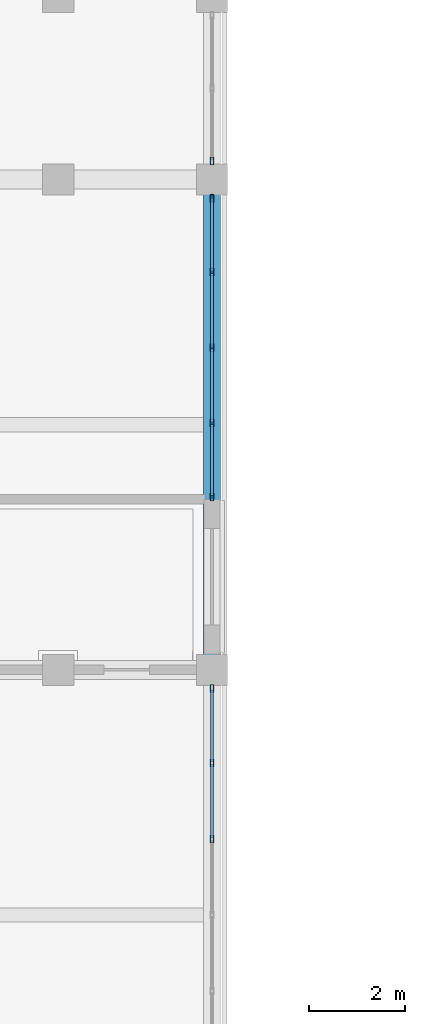
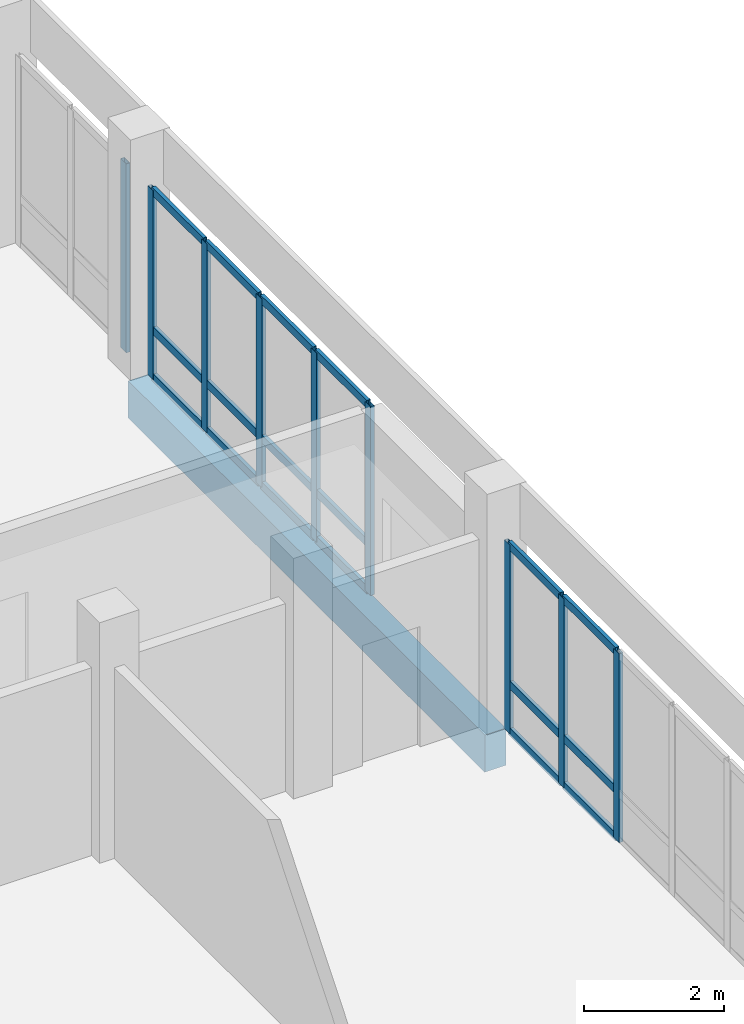
# One storey, part 18 of 200: 27 members, 1 beam, 3 elements without a shape of their own.
"""IFC4 building model written with IfcOpenShell, lengths in metres."""

from ifc_helpers import new_model, si_unit, direction, frame, origin, origin_2d, place, context, subcontext, project, spatial, rectangle, hollow_rectangle, extrude, material, material_profile, profile_set, type_object, element, aggregate, save


model = new_model("IFC4")

# Units and contexts
model_context = context("Model", 3, precision=1e-05, world=origin(), true_north=direction((0.0, 1.0)))
body_context = subcontext(model_context, "Body", "Model", "MODEL_VIEW")
ifc_project = project(units=[si_unit("LENGTHUNIT", "METRE"), si_unit("AREAUNIT", "SQUARE_METRE"), si_unit("VOLUMEUNIT", "CUBIC_METRE"), si_unit("PLANEANGLEUNIT", "RADIAN"), si_unit("MASSUNIT", "GRAM", prefix="KILO")], contexts=[model_context])

# Site, building, storey
site_placement = place(None, origin())
site = spatial("IfcSite", under=ifc_project, at=site_placement, CompositionType="ELEMENT")
building_placement = place(site_placement, origin())
building = spatial("IfcBuilding", under=site, at=building_placement, Name="Vondelvale Polytechnic", CompositionType="ELEMENT")
storey_placement = place(building_placement, frame((0.0, 0.0, 13.800048828125)))
storey = spatial("IfcBuildingStorey", under=building, at=storey_placement, Name="L03", CompositionType="ELEMENT", Elevation=13.800048828125)

# Curtain wall, members
ifc_material_1 = material(Name="Anodised extruded aluminium 6063-T6", Category="aluminium")
curtain_wall_type = type_object("IfcCurtainWallType", Name="CW-STUDIO-NORTH", PredefinedType="NOTDEFINED", material=ifc_material_1)
curtain_wall_1_placement = place(storey_placement, origin())
curtain_wall_1 = element("IfcCurtainWall", 1, at=curtain_wall_1_placement, inside=storey, type_object=curtain_wall_type, Name="L03 architectural curtain wall CW-01-026", PredefinedType="NOTDEFINED")
ifc_material_profile_1 = material_profile(ifc_material_1, hollow_rectangle(XDim=0.06494140625, YDim=0.159912109375, WallThickness=0.0048828125, at=origin_2d()), Name="CW-MUL-160x65")
ifc_profile_set_1 = profile_set([ifc_material_profile_1], Name="Anodised extruded aluminium 6063-T6")
member_type_1 = type_object("IfcMemberType", Name="CW-MUL-65x160", PredefinedType="MULLION", material=ifc_profile_set_1)
member_1_placement = place(storey_placement, frame((48.0, 16.881591796875, 0.0), z_axis=(0.0, 0.0, 1.0), x_axis=(-1.0, 0.0, 0.0)))
member_1 = element("IfcMember", 2, at=member_1_placement, type_object=member_type_1, Name="CW-01-026 mullion 5", PredefinedType="MULLION", context=body_context, shape_type="SweptSolid", body=[
    extrude(hollow_rectangle(XDim=0.06494140625, YDim=0.159912109375, WallThickness=0.0048828125, at=origin_2d()), origin(), (0.0, 0.0, 1.0), 3.300048828125),
])
member_2_placement = place(storey_placement, frame((48.0, 18.46337890625, 0.0), z_axis=(0.0, 0.0, 1.0), x_axis=(-1.0, 0.0, 0.0)))
member_2 = element("IfcMember", 3, at=member_2_placement, type_object=member_type_1, Name="CW-01-026 mullion 6", PredefinedType="MULLION", context=body_context, shape_type="SweptSolid", body=[
    extrude(hollow_rectangle(XDim=0.06494140625, YDim=0.159912109375, WallThickness=0.0048828125, at=origin_2d()), origin(), (0.0, 0.0, 1.0), 3.300048828125),
])
member_3_placement = place(storey_placement, frame((48.0, 20.012451171875, 0.0), z_axis=(0.0, 0.0, 1.0), x_axis=(-1.0, 0.0, 0.0)))
member_3 = element("IfcMember", 4, at=member_3_placement, type_object=member_type_1, Name="CW-01-026 mullion 7", PredefinedType="MULLION", context=body_context, shape_type="SweptSolid", body=[
    extrude(hollow_rectangle(XDim=0.06494140625, YDim=0.159912109375, WallThickness=0.0048828125, at=origin_2d()), origin(), (0.0, 0.0, 1.0), 3.300048828125),
])

curtain_wall_2_placement = place(storey_placement, origin())
curtain_wall_2 = element("IfcCurtainWall", 5, at=curtain_wall_2_placement, inside=storey, type_object=curtain_wall_type, Name="L03 architectural curtain wall CW-01-027", PredefinedType="NOTDEFINED")
member_4_placement = place(storey_placement, frame((48.0, 23.99755859375, 0.0), z_axis=(0.0, 0.0, 1.0), x_axis=(-1.0, 0.0, 0.0)))
member_4 = element("IfcMember", 6, at=member_4_placement, type_object=member_type_1, Name="CW-01-027 mullion 1", PredefinedType="MULLION", context=body_context, shape_type="SweptSolid", body=[
    extrude(hollow_rectangle(XDim=0.06494140625, YDim=0.159912109375, WallThickness=0.0048828125, at=origin_2d()), origin(), (0.0, 0.0, 1.0), 3.300048828125),
])
member_5_placement = place(storey_placement, frame((48.0, 25.534912109375, 0.0), z_axis=(0.0, 0.0, 1.0), x_axis=(-1.0, 0.0, 0.0)))
member_5 = element("IfcMember", 7, at=member_5_placement, type_object=member_type_1, Name="CW-01-027 mullion 2", PredefinedType="MULLION", context=body_context, shape_type="SweptSolid", body=[
    extrude(hollow_rectangle(XDim=0.06494140625, YDim=0.159912109375, WallThickness=0.0048828125, at=origin_2d()), origin(), (0.0, 0.0, 1.0), 3.300048828125),
])
member_6_placement = place(storey_placement, frame((48.0, 27.10498046875, 0.0), z_axis=(0.0, 0.0, 1.0), x_axis=(-1.0, 0.0, 0.0)))
member_6 = element("IfcMember", 8, at=member_6_placement, type_object=member_type_1, Name="CW-01-027 mullion 3", PredefinedType="MULLION", context=body_context, shape_type="SweptSolid", body=[
    extrude(hollow_rectangle(XDim=0.06494140625, YDim=0.159912109375, WallThickness=0.0048828125, at=origin_2d()), origin(), (0.0, 0.0, 1.0), 3.300048828125),
])
member_7_placement = place(storey_placement, frame((48.0, 28.675048828125, 0.0), z_axis=(0.0, 0.0, 1.0), x_axis=(-1.0, 0.0, 0.0)))
member_7 = element("IfcMember", 9, at=member_7_placement, type_object=member_type_1, Name="CW-01-027 mullion 4", PredefinedType="MULLION", context=body_context, shape_type="SweptSolid", body=[
    extrude(hollow_rectangle(XDim=0.06494140625, YDim=0.159912109375, WallThickness=0.0048828125, at=origin_2d()), origin(), (0.0, 0.0, 1.0), 3.300048828125),
])
member_8_placement = place(storey_placement, frame((48.0, 30.21240234375, 0.0), z_axis=(0.0, 0.0, 1.0), x_axis=(-1.0, 0.0, 0.0)))
member_8 = element("IfcMember", 10, at=member_8_placement, type_object=member_type_1, Name="CW-01-027 mullion 5", PredefinedType="MULLION", context=body_context, shape_type="SweptSolid", body=[
    extrude(hollow_rectangle(XDim=0.06494140625, YDim=0.159912109375, WallThickness=0.0048828125, at=origin_2d()), origin(), (0.0, 0.0, 1.0), 3.300048828125),
])

# Curtain wall, member
curtain_wall_3_placement = place(storey_placement, origin())
curtain_wall_3 = element("IfcCurtainWall", 11, at=curtain_wall_3_placement, inside=storey, type_object=curtain_wall_type, Name="L03 architectural curtain wall CW-01-028", PredefinedType="NOTDEFINED")
member_9_placement = place(storey_placement, frame((48.0, 30.987548828125, 0.0), z_axis=(0.0, 0.0, 1.0), x_axis=(-1.0, 0.0, 0.0)))
member_9 = element("IfcMember", 12, at=member_9_placement, type_object=member_type_1, Name="CW-01-028 mullion 1", PredefinedType="MULLION", context=body_context, shape_type="SweptSolid", body=[
    extrude(hollow_rectangle(XDim=0.06494140625, YDim=0.159912109375, WallThickness=0.0048828125, at=origin_2d()), origin(), (0.0, 0.0, 1.0), 3.300048828125),
])
aggregate(curtain_wall_3, [member_9])

# Member
ifc_material_profile_2 = material_profile(ifc_material_1, hollow_rectangle(XDim=0.06005859375, YDim=0.139892578125, WallThickness=0.00341796875, at=origin_2d()), Name="CW-TRN-140x60")
ifc_profile_set_2 = profile_set([ifc_material_profile_2], Name="Anodised extruded aluminium 6063-T6")
member_type_2 = type_object("IfcMemberType", Name="CW-TRN-60x140", PredefinedType="USERDEFINED", material=ifc_profile_set_2)
member_10_placement = place(storey_placement, frame((48.0, 16.9140625, 0.030029296875), z_axis=(0.0, 1.0, 0.0), x_axis=(-1.0, 0.0, 0.0)))
member_10 = element("IfcMember", 13, at=member_10_placement, type_object=member_type_2, Name="CW-01-026 transom 5.1", ObjectType="TRANSOM", PredefinedType="USERDEFINED", context=body_context, shape_type="SweptSolid", body=[
    extrude(hollow_rectangle(XDim=0.06005859375, YDim=0.139892578125, WallThickness=0.00341796875, at=origin_2d()), origin(), (0.0, 0.0, 1.0), 1.516845703125),
])

member_11_placement = place(storey_placement, frame((48.0, 16.9140625, 0.849853515625), z_axis=(0.0, 1.0, 0.0), x_axis=(-1.0, 0.0, 0.0)))
member_11 = element("IfcMember", 14, at=member_11_placement, type_object=member_type_2, Name="CW-01-026 transom 5.2", ObjectType="TRANSOM", PredefinedType="USERDEFINED", context=body_context, shape_type="SweptSolid", body=[
    extrude(hollow_rectangle(XDim=0.06005859375, YDim=0.139892578125, WallThickness=0.00341796875, at=origin_2d()), origin(), (0.0, 0.0, 1.0), 1.516845703125),
])

member_12_placement = place(storey_placement, frame((48.0, 16.9140625, 3.27001953125), z_axis=(0.0, 1.0, 0.0), x_axis=(-1.0, 0.0, 0.0)))
member_12 = element("IfcMember", 15, at=member_12_placement, type_object=member_type_2, Name="CW-01-026 transom 5.3", ObjectType="TRANSOM", PredefinedType="USERDEFINED", context=body_context, shape_type="SweptSolid", body=[
    extrude(hollow_rectangle(XDim=0.06005859375, YDim=0.139892578125, WallThickness=0.00341796875, at=origin_2d()), origin(), (0.0, 0.0, 1.0), 1.516845703125),
])

member_13_placement = place(storey_placement, frame((48.0, 18.495849609375, 0.030029296875), z_axis=(0.0, 1.0, 0.0), x_axis=(-1.0, 0.0, 0.0)))
member_13 = element("IfcMember", 16, at=member_13_placement, type_object=member_type_2, Name="CW-01-026 transom 6.1", ObjectType="TRANSOM", PredefinedType="USERDEFINED", context=body_context, shape_type="SweptSolid", body=[
    extrude(hollow_rectangle(XDim=0.06005859375, YDim=0.139892578125, WallThickness=0.00341796875, at=origin_2d()), origin(), (0.0, 0.0, 1.0), 1.484130859375),
])

member_14_placement = place(storey_placement, frame((48.0, 18.495849609375, 0.849853515625), z_axis=(0.0, 1.0, 0.0), x_axis=(-1.0, 0.0, 0.0)))
member_14 = element("IfcMember", 17, at=member_14_placement, type_object=member_type_2, Name="CW-01-026 transom 6.2", ObjectType="TRANSOM", PredefinedType="USERDEFINED", context=body_context, shape_type="SweptSolid", body=[
    extrude(hollow_rectangle(XDim=0.06005859375, YDim=0.139892578125, WallThickness=0.00341796875, at=origin_2d()), origin(), (0.0, 0.0, 1.0), 1.484130859375),
])

member_15_placement = place(storey_placement, frame((48.0, 18.495849609375, 3.27001953125), z_axis=(0.0, 1.0, 0.0), x_axis=(-1.0, 0.0, 0.0)))
member_15 = element("IfcMember", 18, at=member_15_placement, type_object=member_type_2, Name="CW-01-026 transom 6.3", ObjectType="TRANSOM", PredefinedType="USERDEFINED", context=body_context, shape_type="SweptSolid", body=[
    extrude(hollow_rectangle(XDim=0.06005859375, YDim=0.139892578125, WallThickness=0.00341796875, at=origin_2d()), origin(), (0.0, 0.0, 1.0), 1.484130859375),
])

aggregate(curtain_wall_1, [member_1, member_2, member_3, member_10, member_11, member_12, member_13, member_14, member_15])

member_16_placement = place(storey_placement, frame((48.0, 24.030029296875, 0.030029296875), z_axis=(0.0, 1.0, 0.0), x_axis=(-1.0, 0.0, 0.0)))
member_16 = element("IfcMember", 19, at=member_16_placement, type_object=member_type_2, Name="CW-01-027 transom 1.1", ObjectType="TRANSOM", PredefinedType="USERDEFINED", context=body_context, shape_type="SweptSolid", body=[
    extrude(hollow_rectangle(XDim=0.06005859375, YDim=0.139892578125, WallThickness=0.00341796875, at=origin_2d()), origin(), (0.0, 0.0, 1.0), 1.472412109375),
])

member_17_placement = place(storey_placement, frame((48.0, 24.030029296875, 0.849853515625), z_axis=(0.0, 1.0, 0.0), x_axis=(-1.0, 0.0, 0.0)))
member_17 = element("IfcMember", 20, at=member_17_placement, type_object=member_type_2, Name="CW-01-027 transom 1.2", ObjectType="TRANSOM", PredefinedType="USERDEFINED", context=body_context, shape_type="SweptSolid", body=[
    extrude(hollow_rectangle(XDim=0.06005859375, YDim=0.139892578125, WallThickness=0.00341796875, at=origin_2d()), origin(), (0.0, 0.0, 1.0), 1.472412109375),
])

member_18_placement = place(storey_placement, frame((48.0, 24.030029296875, 3.27001953125), z_axis=(0.0, 1.0, 0.0), x_axis=(-1.0, 0.0, 0.0)))
member_18 = element("IfcMember", 21, at=member_18_placement, type_object=member_type_2, Name="CW-01-027 transom 1.3", ObjectType="TRANSOM", PredefinedType="USERDEFINED", context=body_context, shape_type="SweptSolid", body=[
    extrude(hollow_rectangle(XDim=0.06005859375, YDim=0.139892578125, WallThickness=0.00341796875, at=origin_2d()), origin(), (0.0, 0.0, 1.0), 1.472412109375),
])

member_19_placement = place(storey_placement, frame((48.0, 25.5673828125, 0.030029296875), z_axis=(0.0, 1.0, 0.0), x_axis=(-1.0, 0.0, 0.0)))
member_19 = element("IfcMember", 22, at=member_19_placement, type_object=member_type_2, Name="CW-01-027 transom 2.1", ObjectType="TRANSOM", PredefinedType="USERDEFINED", context=body_context, shape_type="SweptSolid", body=[
    extrude(hollow_rectangle(XDim=0.06005859375, YDim=0.139892578125, WallThickness=0.00341796875, at=origin_2d()), origin(), (0.0, 0.0, 1.0), 1.505126953125),
])

member_20_placement = place(storey_placement, frame((48.0, 25.5673828125, 0.849853515625), z_axis=(0.0, 1.0, 0.0), x_axis=(-1.0, 0.0, 0.0)))
member_20 = element("IfcMember", 23, at=member_20_placement, type_object=member_type_2, Name="CW-01-027 transom 2.2", ObjectType="TRANSOM", PredefinedType="USERDEFINED", context=body_context, shape_type="SweptSolid", body=[
    extrude(hollow_rectangle(XDim=0.06005859375, YDim=0.139892578125, WallThickness=0.00341796875, at=origin_2d()), origin(), (0.0, 0.0, 1.0), 1.505126953125),
])

member_21_placement = place(storey_placement, frame((48.0, 25.5673828125, 3.27001953125), z_axis=(0.0, 1.0, 0.0), x_axis=(-1.0, 0.0, 0.0)))
member_21 = element("IfcMember", 24, at=member_21_placement, type_object=member_type_2, Name="CW-01-027 transom 2.3", ObjectType="TRANSOM", PredefinedType="USERDEFINED", context=body_context, shape_type="SweptSolid", body=[
    extrude(hollow_rectangle(XDim=0.06005859375, YDim=0.139892578125, WallThickness=0.00341796875, at=origin_2d()), origin(), (0.0, 0.0, 1.0), 1.505126953125),
])

member_22_placement = place(storey_placement, frame((48.0, 27.137451171875, 0.030029296875), z_axis=(0.0, 1.0, 0.0), x_axis=(-1.0, 0.0, 0.0)))
member_22 = element("IfcMember", 25, at=member_22_placement, type_object=member_type_2, Name="CW-01-027 transom 3.1", ObjectType="TRANSOM", PredefinedType="USERDEFINED", context=body_context, shape_type="SweptSolid", body=[
    extrude(hollow_rectangle(XDim=0.06005859375, YDim=0.139892578125, WallThickness=0.00341796875, at=origin_2d()), origin(), (0.0, 0.0, 1.0), 1.505126953125),
])

member_23_placement = place(storey_placement, frame((48.0, 27.137451171875, 0.849853515625), z_axis=(0.0, 1.0, 0.0), x_axis=(-1.0, 0.0, 0.0)))
member_23 = element("IfcMember", 26, at=member_23_placement, type_object=member_type_2, Name="CW-01-027 transom 3.2", ObjectType="TRANSOM", PredefinedType="USERDEFINED", context=body_context, shape_type="SweptSolid", body=[
    extrude(hollow_rectangle(XDim=0.06005859375, YDim=0.139892578125, WallThickness=0.00341796875, at=origin_2d()), origin(), (0.0, 0.0, 1.0), 1.505126953125),
])

member_24_placement = place(storey_placement, frame((48.0, 27.137451171875, 3.27001953125), z_axis=(0.0, 1.0, 0.0), x_axis=(-1.0, 0.0, 0.0)))
member_24 = element("IfcMember", 27, at=member_24_placement, type_object=member_type_2, Name="CW-01-027 transom 3.3", ObjectType="TRANSOM", PredefinedType="USERDEFINED", context=body_context, shape_type="SweptSolid", body=[
    extrude(hollow_rectangle(XDim=0.06005859375, YDim=0.139892578125, WallThickness=0.00341796875, at=origin_2d()), origin(), (0.0, 0.0, 1.0), 1.505126953125),
])

member_25_placement = place(storey_placement, frame((48.0, 28.70751953125, 0.030029296875), z_axis=(0.0, 1.0, 0.0), x_axis=(-1.0, 0.0, 0.0)))
member_25 = element("IfcMember", 28, at=member_25_placement, type_object=member_type_2, Name="CW-01-027 transom 4.1", ObjectType="TRANSOM", PredefinedType="USERDEFINED", context=body_context, shape_type="SweptSolid", body=[
    extrude(hollow_rectangle(XDim=0.06005859375, YDim=0.139892578125, WallThickness=0.00341796875, at=origin_2d()), origin(), (0.0, 0.0, 1.0), 1.472412109375),
])

member_26_placement = place(storey_placement, frame((48.0, 28.70751953125, 0.849853515625), z_axis=(0.0, 1.0, 0.0), x_axis=(-1.0, 0.0, 0.0)))
member_26 = element("IfcMember", 29, at=member_26_placement, type_object=member_type_2, Name="CW-01-027 transom 4.2", ObjectType="TRANSOM", PredefinedType="USERDEFINED", context=body_context, shape_type="SweptSolid", body=[
    extrude(hollow_rectangle(XDim=0.06005859375, YDim=0.139892578125, WallThickness=0.00341796875, at=origin_2d()), origin(), (0.0, 0.0, 1.0), 1.472412109375),
])

member_27_placement = place(storey_placement, frame((48.0, 28.70751953125, 3.27001953125), z_axis=(0.0, 1.0, 0.0), x_axis=(-1.0, 0.0, 0.0)))
member_27 = element("IfcMember", 30, at=member_27_placement, type_object=member_type_2, Name="CW-01-027 transom 4.3", ObjectType="TRANSOM", PredefinedType="USERDEFINED", context=body_context, shape_type="SweptSolid", body=[
    extrude(hollow_rectangle(XDim=0.06005859375, YDim=0.139892578125, WallThickness=0.00341796875, at=origin_2d()), origin(), (0.0, 0.0, 1.0), 1.472412109375),
])

aggregate(curtain_wall_2, [member_4, member_5, member_6, member_7, member_8, member_16, member_17, member_18, member_19, member_20, member_21, member_22, member_23, member_24, member_25, member_26, member_27])

# Beam
ifc_material_2 = material(Name="Precast concrete N40 (f'c = 40 MPa)", Category="concrete")
ifc_material_profile_3 = material_profile(ifc_material_2, rectangle(XDim=0.35009765625, YDim=0.64990234375, at=origin_2d()), Name="RC-SPN-350x650")
ifc_profile_set_3 = profile_set([ifc_material_profile_3], Name="Precast concrete N40 (f'c = 40 MPa)")
beam_type = type_object("IfcBeamType", Name="SPN-PRE350x650", PredefinedType="SPANDREL", material=ifc_profile_set_3)
beam_placement = place(storey_placement, frame((48.0, 20.39990234375, -0.574951171875), z_axis=(0.0, 1.0, 0.0), x_axis=(-1.0, 0.0, 0.0)))
element("IfcBeam", 31, at=beam_placement, inside=storey, type_object=beam_type, Name="L03 B SP-02", PredefinedType="SPANDREL", context=body_context, shape_type="SweptSolid", body=[
    extrude(rectangle(XDim=0.35009765625, YDim=0.64990234375, at=origin_2d()), origin(), (0.0, 0.0, 1.0), 10.2001953125),
])

save(model, "model.ifc")
